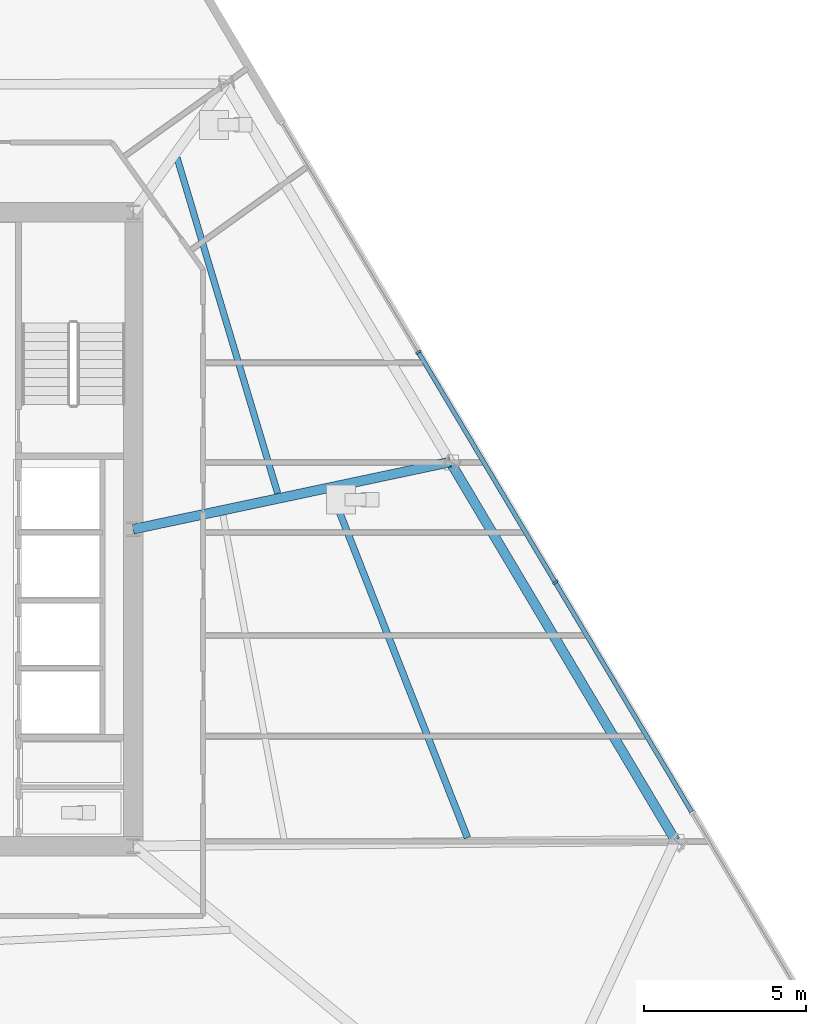
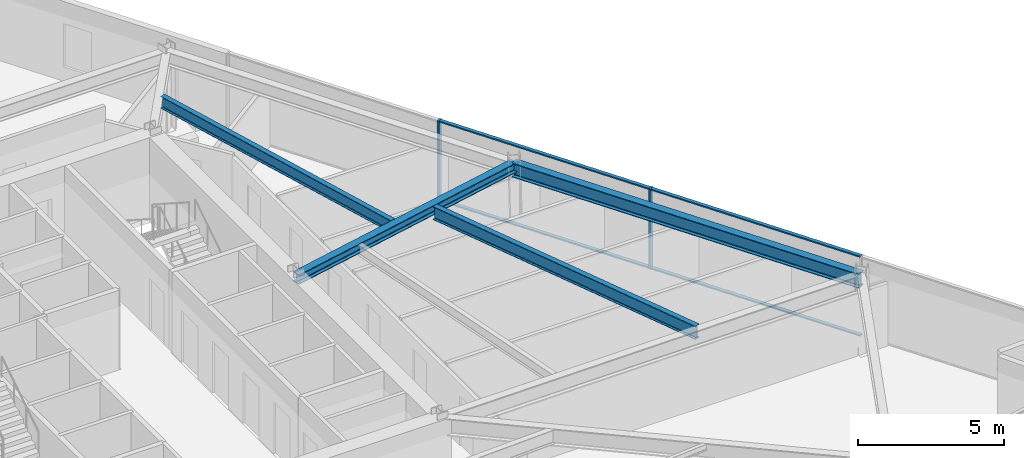
# One storey, part 5 of 16: 6 members, 4 beams, 1 element without a shape of its own.
"""IFC4 building model written with IfcOpenShell, lengths in metres."""

from ifc_helpers import new_model, si_unit, direction, frame, origin, origin_2d, place, context, subcontext, project, spatial, rectangle, i_section, extrude, material, material_profile, profile_set, type_object, element, aggregate, save


model = new_model("IFC4")

# Units and contexts
model_context = context("Model", 3, precision=1e-05, world=origin(), true_north=direction((0.0, 1.0)))
body_context = subcontext(model_context, "Body", "Model", "MODEL_VIEW")
ifc_project = project(units=[si_unit("LENGTHUNIT", "METRE"), si_unit("AREAUNIT", "SQUARE_METRE"), si_unit("VOLUMEUNIT", "CUBIC_METRE"), si_unit("PLANEANGLEUNIT", "RADIAN"), si_unit("MASSUNIT", "GRAM", prefix="KILO")], contexts=[model_context])

# Site, building, storey
site_placement = place(None, origin())
site = spatial("IfcSite", under=ifc_project, at=site_placement, CompositionType="ELEMENT")
building_placement = place(site_placement, origin())
building = spatial("IfcBuilding", under=site, at=building_placement, Name="Savorim Split Tower", CompositionType="ELEMENT")
storey_placement = place(building_placement, frame((0.0, 0.0, 51.60009765625)))
storey = spatial("IfcBuildingStorey", under=building, at=storey_placement, Name="L13", CompositionType="ELEMENT", Elevation=51.60009765625)

# Beams
ifc_material_1 = material(Name="Steel S355", Category="steel")
ifc_material_profile_1 = material_profile(ifc_material_1, i_section(OverallWidth=0.199951171875, OverallDepth=0.5, WebThickness=0.01025390625, FlangeThickness=0.01611328125, FilletRadius=0.02099609375, at=origin_2d()), Name="IPE 500")
ifc_profile_set_1 = profile_set([ifc_material_profile_1], Name="Steel S355")
beam_type_1 = type_object("IfcBeamType", Name="BM-JST-IPE500", PredefinedType="JOIST", material=ifc_profile_set_1)
beam_1_placement = place(storey_placement, frame((12.1640625, 1.5087890625, 3.099853515625), z_axis=(-0.287192674726, 0.957872834767, 0.0), x_axis=(-0.957872834767, -0.287192674726, 0.0)))
element("IfcBeam", 1, at=beam_1_placement, inside=storey, type_object=beam_type_1, Name="L13 Secondary Floor Joist JS-07", PredefinedType="JOIST", context=body_context, shape_type="SweptSolid", body=[
    extrude(i_section(OverallWidth=0.199951171875, OverallDepth=0.5, WebThickness=0.01025390625, FlangeThickness=0.01611328125, FilletRadius=0.02099609375, at=origin_2d()), origin(), (0.0, 0.0, 1.0), 10.823486328125),
])
ifc_material_profile_2 = material_profile(ifc_material_1, i_section(OverallWidth=0.2099609375, OverallDepth=0.550048828125, WebThickness=0.010986328125, FlangeThickness=0.01708984375, FilletRadius=0.02392578125, at=origin_2d()), Name="IPE 550")
ifc_profile_set_2 = profile_set([ifc_material_profile_2], Name="Steel S355")
beam_type_2 = type_object("IfcBeamType", Name="BM-JST-IPE550", PredefinedType="JOIST", material=ifc_profile_set_2)
beam_2_placement = place(storey_placement, frame((18.033447265625, -9.14111328125, 3.074951171875), z_axis=(-0.365690551229, 0.93073649372, 0.0), x_axis=(-0.93073649372, -0.365690551229, 0.0)))
element("IfcBeam", 2, at=beam_2_placement, inside=storey, type_object=beam_type_2, Name="L13 Secondary Floor Joist JS-06", PredefinedType="JOIST", context=body_context, shape_type="SweptSolid", body=[
    extrude(i_section(OverallWidth=0.2099609375, OverallDepth=0.550048828125, WebThickness=0.010986328125, FlangeThickness=0.01708984375, FilletRadius=0.02392578125, at=origin_2d()), origin(), (0.0, 0.0, 1.0), 11.474853515625),
])
ifc_material_profile_3 = material_profile(ifc_material_1, i_section(OverallWidth=0.300048828125, OverallDepth=0.39990234375, WebThickness=0.013427734375, FlangeThickness=0.02392578125, FilletRadius=0.027099609375, at=origin_2d()), Name="HEB 400")
ifc_profile_set_3 = profile_set([ifc_material_profile_3], Name="Steel S355")
beam_type_3 = type_object("IfcBeamType", Name="BM-PRI-HEB400", PredefinedType="BEAM", material=ifc_profile_set_3)
beam_3_placement = place(storey_placement, frame((17.504150390625, 2.477294921875, 3.14990234375), z_axis=(-0.978280403365, -0.207285919424, 0.0), x_axis=(0.207285919424, -0.978280403365, 0.0)))
element("IfcBeam", 3, at=beam_3_placement, inside=storey, type_object=beam_type_3, Name="L13 Primary Floor Girder RG-06", PredefinedType="BEAM", context=body_context, shape_type="SweptSolid", body=[
    extrude(i_section(OverallWidth=0.300048828125, OverallDepth=0.39990234375, WebThickness=0.013427734375, FlangeThickness=0.02392578125, FilletRadius=0.027099609375, at=origin_2d()), origin(), (0.0, 0.0, 1.0), 10.02197265625),
])
ifc_material_profile_4 = material_profile(ifc_material_1, i_section(OverallWidth=0.300048828125, OverallDepth=0.590087890625, WebThickness=0.012939453125, FlangeThickness=0.02490234375, FilletRadius=0.027099609375, at=origin_2d()), Name="HEA 600")
ifc_profile_set_4 = profile_set([ifc_material_profile_4], Name="Steel S355")
beam_type_4 = type_object("IfcBeamType", Name="BM-SPN-HEA600", PredefinedType="SPANDREL", material=ifc_profile_set_4)
beam_4_placement = place(storey_placement, frame((24.461181640625, -9.222412109375, 3.054931640625), z_axis=(-0.511099745925, 0.859521407363, 0.0), x_axis=(-0.859521407363, -0.511099745925, 0.0)))
element("IfcBeam", 4, at=beam_4_placement, inside=storey, type_object=beam_type_4, Name="L13 Perimeter Spandrel Beam 5", PredefinedType="SPANDREL", context=body_context, shape_type="SweptSolid", body=[
    extrude(i_section(OverallWidth=0.300048828125, OverallDepth=0.590087890625, WebThickness=0.012939453125, FlangeThickness=0.02490234375, FilletRadius=0.027099609375, at=origin_2d()), origin(), (0.0, 0.0, 1.0), 13.61181640625),
])

# Curtain wall, members
ifc_material_2 = material(Name="Dark Ceramic-Fritted Insulated Glass", Category="glass")
curtain_wall_type = type_object("IfcCurtainWallType", Name="CW-TWR-FRIT-A", PredefinedType="NOTDEFINED", material=ifc_material_2)
curtain_wall_placement = place(storey_placement, origin())
curtain_wall = element("IfcCurtainWall", 5, at=curtain_wall_placement, inside=storey, type_object=curtain_wall_type, Name="L13 Curtain Wall CW-L13-EAST", PredefinedType="NOTDEFINED")
ifc_material_3 = material(Name="Charcoal Anodised Aluminium", Category="aluminium")
ifc_material_profile_5 = material_profile(ifc_material_3, rectangle(XDim=0.179931640625, YDim=0.06494140625, at=origin_2d()), Name="ALU-M 180x65")
ifc_profile_set_5 = profile_set([ifc_material_profile_5], Name="Charcoal Anodised Aluminium")
member_type_1 = type_object("IfcMemberType", Name="CWM-180x65", PredefinedType="MULLION", material=ifc_profile_set_5)
member_1_placement = place(storey_placement, frame((20.750244140625, -1.248779296875, 0.0), z_axis=(0.0, 0.0, 1.0), x_axis=(-0.859525822673, -0.511092320583, 0.0)))
member_1 = element("IfcMember", 6, at=member_1_placement, type_object=member_type_1, Name="CW-02 mullion 3", PredefinedType="MULLION", context=body_context, shape_type="SweptSolid", body=[
    extrude(rectangle(XDim=0.179931640625, YDim=0.06494140625, at=origin_2d()), origin(), (0.0, 0.0, 1.0), 3.349853515625),
])
member_2_placement = place(storey_placement, frame((16.51513671875, 5.87353515625, 0.0), z_axis=(0.0, 0.0, 1.0), x_axis=(-0.859525822673, -0.511092320583, 0.0)))
member_2 = element("IfcMember", 7, at=member_2_placement, type_object=member_type_1, Name="CW-02 mullion 4", PredefinedType="MULLION", context=body_context, shape_type="SweptSolid", body=[
    extrude(rectangle(XDim=0.179931640625, YDim=0.06494140625, at=origin_2d()), origin(), (0.0, 0.0, 1.0), 3.349853515625),
])
ifc_material_profile_6 = material_profile(ifc_material_3, rectangle(XDim=0.139892578125, YDim=0.054931640625, at=origin_2d()), Name="ALU-T 140x55")
ifc_profile_set_6 = profile_set([ifc_material_profile_6], Name="Charcoal Anodised Aluminium")
member_type_2 = type_object("IfcMemberType", Name="CWT-140x55", PredefinedType="USERDEFINED", material=ifc_profile_set_6)
member_3_placement = place(storey_placement, frame((24.96875, -8.343505859375, 0.02734375), z_axis=(-0.511085472891, 0.859529894419, 0.0), x_axis=(-0.859529894419, -0.511085472891, 0.0)))
member_3 = element("IfcMember", 8, at=member_3_placement, type_object=member_type_2, Name="CW-02 transom 2.1", ObjectType="TRANSOM", PredefinedType="USERDEFINED", context=body_context, shape_type="SweptSolid", body=[
    extrude(rectangle(XDim=0.139892578125, YDim=0.054931640625, at=origin_2d()), origin(), (0.0, 0.0, 1.0), 8.221435546875),
])
member_4_placement = place(storey_placement, frame((24.96875, -8.343505859375, 3.322509765625), z_axis=(-0.511085472891, 0.859529894419, 0.0), x_axis=(-0.859529894419, -0.511085472891, 0.0)))
member_4 = element("IfcMember", 9, at=member_4_placement, type_object=member_type_2, Name="CW-02 transom 2.2", ObjectType="TRANSOM", PredefinedType="USERDEFINED", context=body_context, shape_type="SweptSolid", body=[
    extrude(rectangle(XDim=0.139892578125, YDim=0.054931640625, at=origin_2d()), origin(), (0.0, 0.0, 1.0), 8.221435546875),
])
member_5_placement = place(storey_placement, frame((20.733642578125, -1.220947265625, 0.02734375), z_axis=(-0.511085472891, 0.859529894419, 0.0), x_axis=(-0.859529894419, -0.511085472891, 0.0)))
member_5 = element("IfcMember", 10, at=member_5_placement, type_object=member_type_2, Name="CW-02 transom 3.1", ObjectType="TRANSOM", PredefinedType="USERDEFINED", context=body_context, shape_type="SweptSolid", body=[
    extrude(rectangle(XDim=0.139892578125, YDim=0.054931640625, at=origin_2d()), origin(), (0.0, 0.0, 1.0), 8.221435546875),
])
member_6_placement = place(storey_placement, frame((20.733642578125, -1.220947265625, 3.322509765625), z_axis=(-0.511085472891, 0.859529894419, 0.0), x_axis=(-0.859529894419, -0.511085472891, 0.0)))
member_6 = element("IfcMember", 11, at=member_6_placement, type_object=member_type_2, Name="CW-02 transom 3.2", ObjectType="TRANSOM", PredefinedType="USERDEFINED", context=body_context, shape_type="SweptSolid", body=[
    extrude(rectangle(XDim=0.139892578125, YDim=0.054931640625, at=origin_2d()), origin(), (0.0, 0.0, 1.0), 8.221435546875),
])
aggregate(curtain_wall, [member_1, member_2, member_3, member_4, member_5, member_6])

save(model, "model.ifc")
